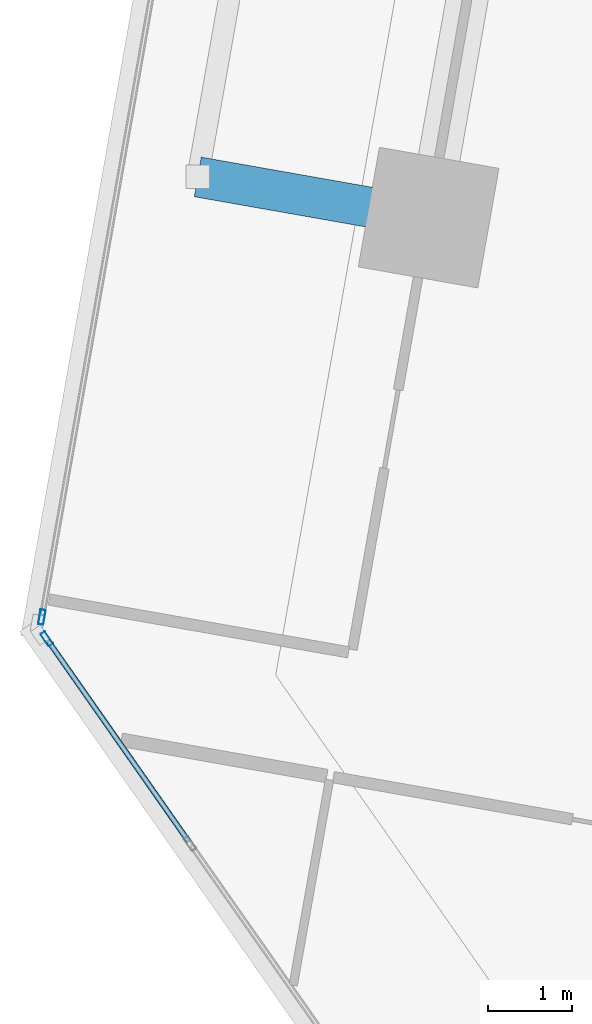
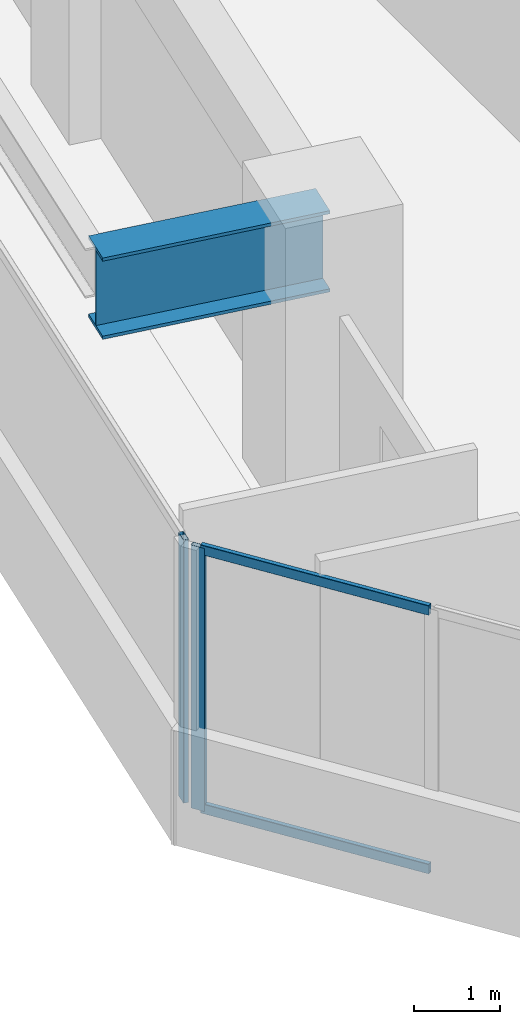
# One storey, part 3 of 24: 4 members, 1 beam, 2 elements without a shape of their own.
"""IFC4 building model written with IfcOpenShell, lengths in metres."""

from ifc_helpers import new_model, si_unit, direction, frame, origin, origin_2d, place, context, subcontext, project, spatial, hollow_rectangle, i_section, extrude, source, transform, mapped, material, material_profile, profile_set, type_object, element, aggregate, save


model = new_model("IFC4")

# Units and contexts
model_context = context("Model", 3, precision=1e-05, world=origin(), true_north=direction((0.0, 1.0)))
body_context = subcontext(model_context, "Body", "Model", "MODEL_VIEW")
ifc_project = project(units=[si_unit("LENGTHUNIT", "METRE"), si_unit("AREAUNIT", "SQUARE_METRE"), si_unit("VOLUMEUNIT", "CUBIC_METRE"), si_unit("PLANEANGLEUNIT", "RADIAN"), si_unit("MASSUNIT", "GRAM", prefix="KILO")], contexts=[model_context])

# Site, building, storey
site_placement = place(None, origin())
site = spatial("IfcSite", under=ifc_project, at=site_placement, CompositionType="ELEMENT")
building_placement = place(site_placement, origin())
building = spatial("IfcBuilding", under=site, at=building_placement, Name="Torre Montelarca", CompositionType="ELEMENT")
storey_placement = place(building_placement, frame((0.0, 0.0, 74.800048828125)))
storey = spatial("IfcBuildingStorey", under=building, at=storey_placement, Name="L16", CompositionType="ELEMENT", Elevation=74.800048828125)

# Beam
ifc_material_1 = material(Name="Steel ASTM A572 Grade 50", Category="steel")
ifc_material_profile_1 = material_profile(ifc_material_1, i_section(OverallWidth=0.47998046875, OverallDepth=1.14990234375, WebThickness=0.02197265625, FlangeThickness=0.044921875, at=origin_2d()), Name="PG1150X480X22X45", Category="steel")
ifc_profile_set_1 = profile_set([ifc_material_profile_1], Name="Steel ASTM A572 Grade 50")
beam_type = type_object("IfcBeamType", Name="BM-CG-PG1400-EXT", PredefinedType="USERDEFINED", material=ifc_profile_set_1)
shared_shape_1 = source(origin(), body_context, "Body", "SweptSolid", [
    extrude(i_section(OverallWidth=0.47998046875, OverallDepth=1.14990234375, WebThickness=0.02197265625, FlangeThickness=0.044921875, at=origin_2d()), origin(), (0.0, 0.0, 1.0), 2.800048828125),
])
beam_placement = place(storey_placement, frame((3.516845703125, 27.047607421875, 3.385009765625), z_axis=(-0.984816895441, 0.173596320392, 0.0), x_axis=(-0.173596320392, -0.984816895441, 0.0)))
element("IfcBeam", 1, at=beam_placement, inside=storey, type_object=beam_type, Name="L16 Sliding Tray Cantilever Girder West Y=24.0m (FLR)", ObjectType="CANTILEVER GIRDER", PredefinedType="USERDEFINED", context=body_context, shape_type="MappedRepresentation", body=[
    mapped(shared_shape_1, transform((0.0, 0.0, 0.0), scale=1.0)),
])

# Curtain wall, members
ifc_material_2 = material(Name="Insulated low-E laminated glass", Category="glass")
curtain_wall_type = type_object("IfcCurtainWallType", Name="CW-SYS-Z1", PredefinedType="USERDEFINED", material=ifc_material_2)
curtain_wall_1_placement = place(storey_placement, origin())
curtain_wall_1 = element("IfcCurtainWall", 2, at=curtain_wall_1_placement, inside=storey, type_object=curtain_wall_type, Name="L16 Curtain Wall Run CW-T3-L16-E11-B1", ObjectType="UNITISED GLAZING", PredefinedType="USERDEFINED")
ifc_material_3 = material(Name="Anodised aluminium AA 6063-T6", Category="aluminium")
ifc_material_profile_2 = material_profile(ifc_material_3, hollow_rectangle(XDim=0.06494140625, YDim=0.139892578125, WallThickness=0.00390625, InnerFilletRadius=0.00390625, OuterFilletRadius=0.008056640625, at=origin_2d()), Name="ALU65X140X4", Category="aluminium")
ifc_profile_set_2 = profile_set([ifc_material_profile_2], Name="Anodised aluminium AA 6063-T6")
member_type_1 = type_object("IfcMemberType", Name="CWT-ALU140", PredefinedType="USERDEFINED", material=ifc_profile_set_2)
shared_shape_2 = source(origin(), body_context, "Body", "SweptSolid", [
    extrude(hollow_rectangle(XDim=0.06494140625, YDim=0.139892578125, WallThickness=0.00390625, InnerFilletRadius=0.00390625, OuterFilletRadius=0.008056640625, at=origin_2d()), origin(), (0.0, 0.0, 1.0), 2.918701171875),
])
member_1_placement = place(storey_placement, frame((-1.025634765625, 21.98828125, 0.032470703125), z_axis=(0.573569003746, -0.819157248605, 0.0), x_axis=(0.819157248605, 0.573569003746, 0.0)))
member_1 = element("IfcMember", 3, at=member_1_placement, type_object=member_type_1, Name="CW transom 1.1", ObjectType="TRANSOM", PredefinedType="USERDEFINED", context=body_context, shape_type="MappedRepresentation", body=[
    mapped(shared_shape_2, transform((0.0, 0.0, 0.0), scale=1.0)),
])
member_2_placement = place(storey_placement, frame((-1.025634765625, 21.98828125, 3.6875), z_axis=(0.573569003746, -0.819157248605, 0.0), x_axis=(0.819157248605, 0.573569003746, 0.0)))
member_2 = element("IfcMember", 4, at=member_2_placement, type_object=member_type_1, Name="CW transom 1.2", ObjectType="TRANSOM", PredefinedType="USERDEFINED", context=body_context, shape_type="MappedRepresentation", body=[
    mapped(shared_shape_2, transform((0.0, 0.0, 0.0), scale=1.0)),
])

# Curtain wall, member
curtain_wall_2_placement = place(storey_placement, origin())
curtain_wall_2 = element("IfcCurtainWall", 5, at=curtain_wall_2_placement, inside=storey, type_object=curtain_wall_type, Name="L16 Curtain Wall Run CW-T3-L16-E10-B1", ObjectType="UNITISED GLAZING", PredefinedType="USERDEFINED")
ifc_material_profile_3 = material_profile(ifc_material_3, hollow_rectangle(XDim=0.06494140625, YDim=0.179931640625, WallThickness=0.00390625, InnerFilletRadius=0.00390625, OuterFilletRadius=0.008056640625, at=origin_2d()), Name="ALU65X180X4", Category="aluminium")
ifc_profile_set_3 = profile_set([ifc_material_profile_3], Name="Anodised aluminium AA 6063-T6")
member_type_2 = type_object("IfcMemberType", Name="CWM-ALU180", PredefinedType="MULLION", material=ifc_profile_set_3)
shared_shape_3 = source(origin(), body_context, "Body", "SweptSolid", [
    extrude(hollow_rectangle(XDim=0.06494140625, YDim=0.179931640625, WallThickness=0.00390625, InnerFilletRadius=0.00390625, OuterFilletRadius=0.008056640625, at=origin_2d()), origin(), (0.0, 0.0, 1.0), 3.719970703125),
])
member_3_placement = place(storey_placement, frame((-1.10205078125, 22.275390625, 0.0), z_axis=(0.0, 0.0, 1.0), x_axis=(0.984808126187, -0.173646061274, 0.0)))
member_3 = element("IfcMember", 6, at=member_3_placement, type_object=member_type_2, Name="CW mullion 3", PredefinedType="MULLION", context=body_context, shape_type="MappedRepresentation", body=[
    mapped(shared_shape_3, transform((0.0, 0.0, 0.0), scale=1.0)),
])
aggregate(curtain_wall_2, [member_3])

# Member
member_4_placement = place(storey_placement, frame((-1.044189453125, 22.014892578125, 0.0), z_axis=(0.0, 0.0, 1.0), x_axis=(0.819173505874, 0.573545784811, 0.0)))
member_4 = element("IfcMember", 7, at=member_4_placement, type_object=member_type_2, Name="CW mullion 1", PredefinedType="MULLION", context=body_context, shape_type="MappedRepresentation", body=[
    mapped(shared_shape_3, transform((0.0, 0.0, 0.0), scale=1.0)),
])

aggregate(curtain_wall_1, [member_4, member_1, member_2])

save(model, "model.ifc")
